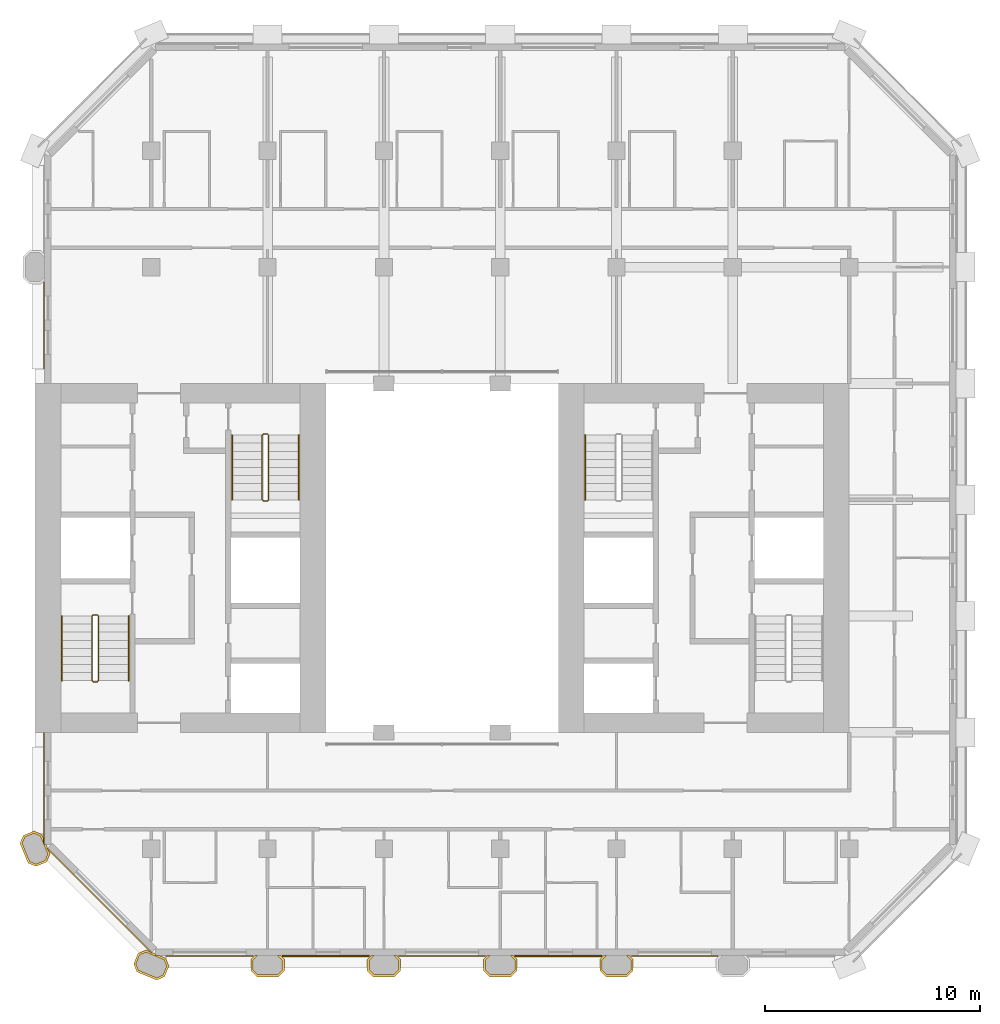
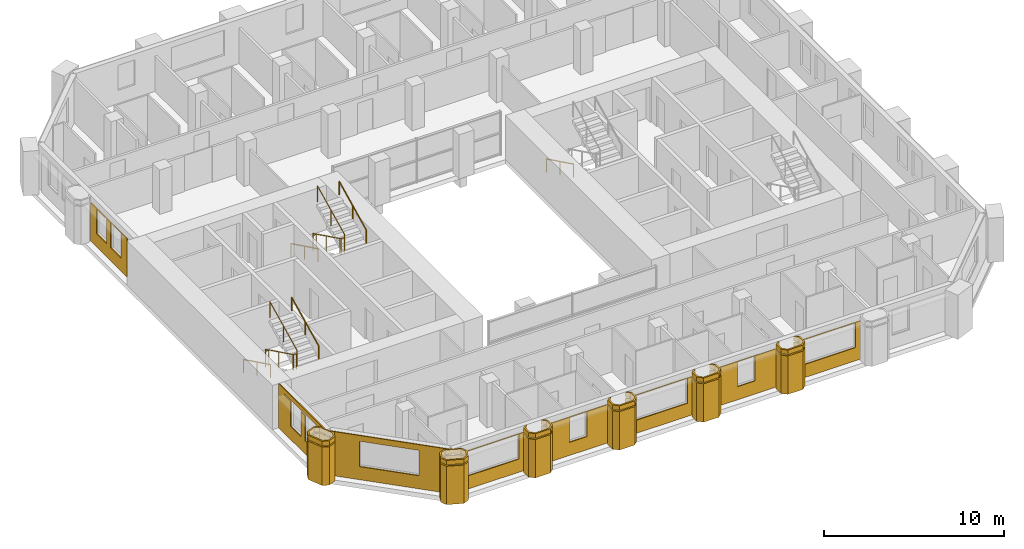
# One storey, part 10 of 12: 20 coverings, 7 railings.
"""IFC4 building model written with IfcOpenShell, lengths in metres."""

from ifc_helpers import new_model, si_unit, direction, frame, origin, origin_2d, place, context, subcontext, project, spatial, polyline, circle, outline, extrude, material, layer, layer_set, type_object, element, save


model = new_model("IFC4")

# Units and contexts
model_context = context("Model", 3, precision=1e-05, world=origin(), true_north=direction((0.0, 1.0)))
body_context = subcontext(model_context, "Body", "Model", "MODEL_VIEW")
ifc_project = project(units=[si_unit("LENGTHUNIT", "METRE"), si_unit("AREAUNIT", "SQUARE_METRE"), si_unit("VOLUMEUNIT", "CUBIC_METRE"), si_unit("PLANEANGLEUNIT", "RADIAN"), si_unit("MASSUNIT", "GRAM", prefix="KILO")], contexts=[model_context])

# Site, building, storey
site_placement = place(None, origin())
site = spatial("IfcSite", under=ifc_project, at=site_placement, CompositionType="ELEMENT")
building_placement = place(site_placement, origin())
building = spatial("IfcBuilding", under=site, at=building_placement, Name="Tabaq Tower and Sports Hall", CompositionType="ELEMENT")
storey_placement = place(building_placement, frame((0.0, 0.0, 187.300048828125)))
storey = spatial("IfcBuildingStorey", under=building, at=storey_placement, Name="L45", CompositionType="ELEMENT", Elevation=187.300048828125)

# Coverings
ifc_material_1 = material(Name="Precast concrete C60/75", Category="concrete")
ifc_layer_1 = layer(ifc_material_1, 0.10009765625)
ifc_layer_set_1 = layer_set([ifc_layer_1], Name="Column cladding 100")
covering_type_1 = type_object("IfcCoveringType", Name="Column cladding 100", PredefinedType="CLADDING", material=ifc_layer_set_1)
covering_1_placement = place(storey_placement, origin())
element("IfcCovering", 1, at=covering_1_placement, inside=storey, type_object=covering_type_1, Name="Column cladding L45 PC-2C-H2", PredefinedType="CLADDING", context=body_context, shape_type="SweptSolid", body=[
    extrude(outline(polyline([(5.450439453125, 9.982421875), (5.080078125, 10.1357421875), (4.7041015625, 11.04345703125), (4.857421875, 11.413818359375), (5.349609375, 11.61767578125), (5.7197265625, 11.46435546875), (5.789794921875, 11.295654296875), (5.789794921875, 11.04296875), (5.849609375, 11.04296875), (5.849609375, 10.986083984375), (5.91796875, 10.986083984375), (5.9814453125, 10.83251953125), (5.9501953125, 10.801025390625), (6.026123046875, 10.72509765625), (6.095947265625, 10.556396484375), (5.9423828125, 10.186279296875), (5.450439453125, 9.982421875)]), holes=[polyline([(5.349609375, 11.510009765625), (4.93359375, 11.337646484375), (4.811767578125, 11.04345703125), (5.15625, 10.2119140625), (5.450439453125, 10.08984375), (5.866455078125, 10.26220703125), (5.98828125, 10.556396484375), (5.643798828125, 11.38818359375), (5.349609375, 11.510009765625)])]), origin(), (0.0, 0.0, 1.0), 2.599853515625),
])
covering_2_placement = place(storey_placement, frame((0.0, 0.0, 2.699951171875)))
element("IfcCovering", 2, at=covering_2_placement, inside=storey, type_object=covering_type_1, Name="Column cladding L45 PC-2C-H2 2", PredefinedType="CLADDING", context=body_context, shape_type="SweptSolid", body=[
    extrude(outline(polyline([(5.450439453125, 9.982421875), (5.080078125, 10.1357421875), (4.7041015625, 11.04345703125), (4.857421875, 11.413818359375), (5.349609375, 11.61767578125), (5.7197265625, 11.46435546875), (5.789794921875, 11.295654296875), (5.789794921875, 11.04296875), (5.849609375, 11.04296875), (5.849609375, 10.986083984375), (5.91796875, 10.986083984375), (5.9814453125, 10.83251953125), (5.9501953125, 10.801025390625), (6.026123046875, 10.72509765625), (6.095947265625, 10.556396484375), (5.9423828125, 10.186279296875), (5.450439453125, 9.982421875)]), holes=[polyline([(5.349609375, 11.510009765625), (4.93359375, 11.337646484375), (4.811767578125, 11.04345703125), (5.15625, 10.2119140625), (5.450439453125, 10.08984375), (5.866455078125, 10.26220703125), (5.98828125, 10.556396484375), (5.643798828125, 11.38818359375), (5.349609375, 11.510009765625)])]), origin(), (0.0, 0.0, 1.0), 0.300048828125),
])
covering_3_placement = place(storey_placement, origin())
element("IfcCovering", 3, at=covering_3_placement, inside=storey, type_object=covering_type_1, Name="Column cladding L45 PC-3B-H2", PredefinedType="CLADDING", context=body_context, shape_type="SweptSolid", body=[
    extrude(outline(polyline([(11.413818359375, 4.857421875), (11.04345703125, 4.7041015625), (10.1357421875, 5.080078125), (9.982421875, 5.450439453125), (10.186279296875, 5.9423828125), (10.556396484375, 6.095947265625), (10.72509765625, 6.026123046875), (10.801025390625, 5.9501953125), (10.83251953125, 5.9814453125), (10.986083984375, 5.91796875), (10.986083984375, 5.849609375), (11.15087890625, 5.849609375), (11.46435546875, 5.7197265625), (11.61767578125, 5.349609375), (11.413818359375, 4.857421875)]), holes=[polyline([(10.26220703125, 5.866455078125), (10.08984375, 5.450439453125), (10.2119140625, 5.15625), (11.04345703125, 4.811767578125), (11.337646484375, 4.93359375), (11.510009765625, 5.349609375), (11.38818359375, 5.643798828125), (10.556396484375, 5.98828125), (10.26220703125, 5.866455078125)])]), origin(), (0.0, 0.0, 1.0), 2.599853515625),
])
covering_4_placement = place(storey_placement, frame((0.0, 0.0, 2.699951171875)))
element("IfcCovering", 4, at=covering_4_placement, inside=storey, type_object=covering_type_1, Name="Column cladding L45 PC-3B-H2 2", PredefinedType="CLADDING", context=body_context, shape_type="SweptSolid", body=[
    extrude(outline(polyline([(11.413818359375, 4.857421875), (11.04345703125, 4.7041015625), (10.1357421875, 5.080078125), (9.982421875, 5.450439453125), (10.186279296875, 5.9423828125), (10.556396484375, 6.095947265625), (10.72509765625, 6.026123046875), (10.801025390625, 5.9501953125), (10.83251953125, 5.9814453125), (10.986083984375, 5.91796875), (10.986083984375, 5.849609375), (11.15087890625, 5.849609375), (11.46435546875, 5.7197265625), (11.61767578125, 5.349609375), (11.413818359375, 4.857421875)]), holes=[polyline([(10.26220703125, 5.866455078125), (10.08984375, 5.450439453125), (10.2119140625, 5.15625), (11.04345703125, 4.811767578125), (11.337646484375, 4.93359375), (11.510009765625, 5.349609375), (11.38818359375, 5.643798828125), (10.556396484375, 5.98828125), (10.26220703125, 5.866455078125)])]), origin(), (0.0, 0.0, 1.0), 0.300048828125),
])
covering_5_placement = place(storey_placement, origin())
element("IfcCovering", 5, at=covering_5_placement, inside=storey, type_object=covering_type_1, Name="Column cladding L45 PC-4B-H2", PredefinedType="CLADDING", context=body_context, shape_type="SweptSolid", body=[
    extrude(outline(polyline([(15.42529296875, 5.666259765625), (15.608642578125, 5.849609375), (15.749267578125, 5.849609375), (15.524658203125, 5.625244140625), (15.524658203125, 5.1748046875), (15.749755859375, 4.94970703125), (16.650146484375, 4.94970703125), (16.875244140625, 5.1748046875), (16.875244140625, 5.625244140625), (16.650634765625, 5.849609375), (16.791259765625, 5.849609375), (16.974609375, 5.666259765625), (16.974609375, 5.1337890625), (16.69140625, 4.850341796875), (15.708740234375, 4.850341796875), (15.42529296875, 5.1337890625), (15.42529296875, 5.666259765625)])), origin(), (0.0, 0.0, 1.0), 2.599853515625),
])
covering_6_placement = place(storey_placement, frame((0.0, 0.0, 2.699951171875)))
element("IfcCovering", 6, at=covering_6_placement, inside=storey, type_object=covering_type_1, Name="Column cladding L45 PC-4B-H2 2", PredefinedType="CLADDING", context=body_context, shape_type="SweptSolid", body=[
    extrude(outline(polyline([(15.42529296875, 5.666259765625), (15.608642578125, 5.849609375), (15.749267578125, 5.849609375), (15.524658203125, 5.625244140625), (15.524658203125, 5.1748046875), (15.749755859375, 4.94970703125), (16.650146484375, 4.94970703125), (16.875244140625, 5.1748046875), (16.875244140625, 5.625244140625), (16.650634765625, 5.849609375), (16.791259765625, 5.849609375), (16.974609375, 5.666259765625), (16.974609375, 5.1337890625), (16.69140625, 4.850341796875), (15.708740234375, 4.850341796875), (15.42529296875, 5.1337890625), (15.42529296875, 5.666259765625)])), origin(), (0.0, 0.0, 1.0), 0.300048828125),
])
covering_7_placement = place(storey_placement, origin())
element("IfcCovering", 7, at=covering_7_placement, inside=storey, type_object=covering_type_1, Name="Column cladding L45 PC-5B-H2", PredefinedType="CLADDING", context=body_context, shape_type="SweptSolid", body=[
    extrude(outline(polyline([(20.8251953125, 5.666259765625), (21.0087890625, 5.849609375), (21.149169921875, 5.849609375), (20.9248046875, 5.625244140625), (20.9248046875, 5.1748046875), (21.14990234375, 4.94970703125), (22.050048828125, 4.94970703125), (22.275390625, 5.1748046875), (22.275390625, 5.625244140625), (22.05078125, 5.849609375), (22.19140625, 5.849609375), (22.374755859375, 5.666259765625), (22.374755859375, 5.1337890625), (22.09130859375, 4.850341796875), (21.108642578125, 4.850341796875), (20.8251953125, 5.1337890625), (20.8251953125, 5.666259765625)])), origin(), (0.0, 0.0, 1.0), 2.599853515625),
])
covering_8_placement = place(storey_placement, frame((0.0, 0.0, 2.699951171875)))
element("IfcCovering", 8, at=covering_8_placement, inside=storey, type_object=covering_type_1, Name="Column cladding L45 PC-5B-H2 2", PredefinedType="CLADDING", context=body_context, shape_type="SweptSolid", body=[
    extrude(outline(polyline([(20.8251953125, 5.666259765625), (21.0087890625, 5.849609375), (21.149169921875, 5.849609375), (20.9248046875, 5.625244140625), (20.9248046875, 5.1748046875), (21.14990234375, 4.94970703125), (22.050048828125, 4.94970703125), (22.275390625, 5.1748046875), (22.275390625, 5.625244140625), (22.05078125, 5.849609375), (22.19140625, 5.849609375), (22.374755859375, 5.666259765625), (22.374755859375, 5.1337890625), (22.09130859375, 4.850341796875), (21.108642578125, 4.850341796875), (20.8251953125, 5.1337890625), (20.8251953125, 5.666259765625)])), origin(), (0.0, 0.0, 1.0), 0.300048828125),
])
covering_9_placement = place(storey_placement, origin())
element("IfcCovering", 9, at=covering_9_placement, inside=storey, type_object=covering_type_1, Name="Column cladding L45 PC-6B-H2", PredefinedType="CLADDING", context=body_context, shape_type="SweptSolid", body=[
    extrude(outline(polyline([(26.225341796875, 5.666259765625), (26.40869140625, 5.849609375), (26.54931640625, 5.849609375), (26.32470703125, 5.625244140625), (26.32470703125, 5.1748046875), (26.5498046875, 4.94970703125), (27.4501953125, 4.94970703125), (27.67529296875, 5.1748046875), (27.67529296875, 5.625244140625), (27.45068359375, 5.849609375), (27.59130859375, 5.849609375), (27.774658203125, 5.666259765625), (27.774658203125, 5.1337890625), (27.4912109375, 4.850341796875), (26.5087890625, 4.850341796875), (26.225341796875, 5.1337890625), (26.225341796875, 5.666259765625)])), origin(), (0.0, 0.0, 1.0), 2.599853515625),
])
covering_10_placement = place(storey_placement, frame((0.0, 0.0, 2.699951171875)))
element("IfcCovering", 10, at=covering_10_placement, inside=storey, type_object=covering_type_1, Name="Column cladding L45 PC-6B-H2 2", PredefinedType="CLADDING", context=body_context, shape_type="SweptSolid", body=[
    extrude(outline(polyline([(26.225341796875, 5.666259765625), (26.40869140625, 5.849609375), (26.54931640625, 5.849609375), (26.32470703125, 5.625244140625), (26.32470703125, 5.1748046875), (26.5498046875, 4.94970703125), (27.4501953125, 4.94970703125), (27.67529296875, 5.1748046875), (27.67529296875, 5.625244140625), (27.45068359375, 5.849609375), (27.59130859375, 5.849609375), (27.774658203125, 5.666259765625), (27.774658203125, 5.1337890625), (27.4912109375, 4.850341796875), (26.5087890625, 4.850341796875), (26.225341796875, 5.1337890625), (26.225341796875, 5.666259765625)])), origin(), (0.0, 0.0, 1.0), 0.300048828125),
])
covering_11_placement = place(storey_placement, origin())
element("IfcCovering", 11, at=covering_11_placement, inside=storey, type_object=covering_type_1, Name="Column cladding L45 PC-7B-H2", PredefinedType="CLADDING", context=body_context, shape_type="SweptSolid", body=[
    extrude(outline(polyline([(31.625244140625, 5.666259765625), (31.80859375, 5.849609375), (31.94921875, 5.849609375), (31.724609375, 5.625244140625), (31.724609375, 5.1748046875), (31.949951171875, 4.94970703125), (32.85009765625, 4.94970703125), (33.0751953125, 5.1748046875), (33.0751953125, 5.625244140625), (32.850830078125, 5.849609375), (32.9912109375, 5.849609375), (33.1748046875, 5.666259765625), (33.1748046875, 5.1337890625), (32.891357421875, 4.850341796875), (31.90869140625, 4.850341796875), (31.625244140625, 5.1337890625), (31.625244140625, 5.666259765625)])), origin(), (0.0, 0.0, 1.0), 2.599853515625),
])
covering_12_placement = place(storey_placement, frame((0.0, 0.0, 2.699951171875)))
element("IfcCovering", 12, at=covering_12_placement, inside=storey, type_object=covering_type_1, Name="Column cladding L45 PC-7B-H2 2", PredefinedType="CLADDING", context=body_context, shape_type="SweptSolid", body=[
    extrude(outline(polyline([(31.625244140625, 5.666259765625), (31.80859375, 5.849609375), (31.94921875, 5.849609375), (31.724609375, 5.625244140625), (31.724609375, 5.1748046875), (31.949951171875, 4.94970703125), (32.85009765625, 4.94970703125), (33.0751953125, 5.1748046875), (33.0751953125, 5.625244140625), (32.850830078125, 5.849609375), (32.9912109375, 5.849609375), (33.1748046875, 5.666259765625), (33.1748046875, 5.1337890625), (32.891357421875, 4.850341796875), (31.90869140625, 4.850341796875), (31.625244140625, 5.1337890625), (31.625244140625, 5.666259765625)])), origin(), (0.0, 0.0, 1.0), 0.300048828125),
])

# Railings
ifc_material_2 = material(Name="Stainless steel", Category="steel")
railing_type_1 = type_object("IfcRailingType", Name="Stair guard", PredefinedType="GUARDRAIL", material=ifc_material_2)
railing_1_placement = place(storey_placement, frame((8.300048828125, 21.64990234375, 0.0)))
element("IfcRailing", 13, at=railing_1_placement, inside=storey, type_object=railing_type_1, Name="L45 ST1 stair guard 1", PredefinedType="GUARDRAIL", context=body_context, shape_type="SweptSolid", body=[
    extrude(circle(Radius=0.02392578125, at=origin_2d()), frame((0.0, 0.0, 1.076171875), z_axis=(-1.0, 0.0, 0.0), x_axis=(0.0, -1.0, 0.0)), (0.0, 0.0, 1.0), 0.199951171875),
    extrude(circle(Radius=0.02392578125, at=origin_2d()), frame((-0.199951171875, 0.0, 1.076171875), z_axis=(-0.254733673405, -0.25349107012, 0.933195066962), x_axis=(0.705375805398, -0.708833529934, 0.0)), (0.0, 0.0, 1.0), 0.196533203125),
    extrude(circle(Radius=0.02392578125, at=origin_2d()), frame((-0.25, -0.0498046875, 1.25927734375), z_axis=(0.0, -0.898397823093, 0.439182594671), x_axis=(1.0, 0.0, 0.0)), (0.0, 0.0, 1.0), 3.33935546875),
    extrude(circle(Radius=0.02392578125, at=origin_2d()), frame((-0.25, -3.0498046875, 2.72607421875), z_axis=(0.707106781187, -0.707106781187, 0.0), x_axis=(0.707106781187, 0.707106781187, 0.0)), (0.0, 0.0, 1.0), 0.07080078125),
    extrude(circle(Radius=0.02392578125, at=origin_2d()), frame((-0.199951171875, -3.099853515625, 2.72607421875), z_axis=(1.0, 0.0, 0.0), x_axis=(0.0, 1.0, 0.0)), (0.0, 0.0, 1.0), 0.199951171875),
    extrude(circle(Radius=0.02392578125, at=origin_2d()), frame((0.0, -3.099853515625, 2.72607421875), z_axis=(0.254653276557, 0.254653276557, 0.932900539971), x_axis=(-0.707106781187, 0.707106781187, 0.0)), (0.0, 0.0, 1.0), 0.196533203125),
    extrude(circle(Radius=0.02392578125, at=origin_2d()), frame((0.050048828125, -3.0498046875, 2.9091796875), z_axis=(0.0, 0.898368975038, 0.439241601728), x_axis=(-1.0, 0.0, 0.0)), (0.0, 0.0, 1.0), 3.33935546875),
    extrude(circle(Radius=0.02099609375, at=origin_2d()), origin(), (0.0, 0.0, 1.0), 1.052001953125),
    extrude(circle(Radius=0.02099609375, at=origin_2d()), frame((-0.199951171875, 0.0, 0.0)), (0.0, 0.0, 1.0), 1.052001953125),
    extrude(circle(Radius=0.02099609375, at=origin_2d()), frame((-0.25, -0.0498046875, 0.183349609375)), (0.0, 0.0, 1.0), 1.052001953125),
    extrude(circle(Radius=0.02099609375, at=origin_2d()), frame((-0.25, -1.5498046875, 0.91650390625)), (0.0, 0.0, 1.0), 1.052001953125),
    extrude(circle(Radius=0.02099609375, at=origin_2d()), frame((-0.25, -3.0498046875, 1.64990234375)), (0.0, 0.0, 1.0), 1.052001953125),
    extrude(circle(Radius=0.02099609375, at=origin_2d()), frame((-0.199951171875, -3.099853515625, 1.64990234375)), (0.0, 0.0, 1.0), 1.052001953125),
    extrude(circle(Radius=0.02099609375, at=origin_2d()), frame((0.0, -3.099853515625, 1.64990234375)), (0.0, 0.0, 1.0), 1.052001953125),
    extrude(circle(Radius=0.02099609375, at=origin_2d()), frame((0.050048828125, -3.0498046875, 1.833251953125)), (0.0, 0.0, 1.0), 1.052001953125),
    extrude(circle(Radius=0.02099609375, at=origin_2d()), frame((0.050048828125, -1.5498046875, 2.566650390625)), (0.0, 0.0, 1.0), 1.052001953125),
    extrude(circle(Radius=0.02099609375, at=origin_2d()), frame((0.050048828125, -0.0498046875, 3.300048828125)), (0.0, 0.0, 1.0), 1.052001953125),
])
railing_2_placement = place(storey_placement, frame((16.199951171875, 30.050048828125, 0.0)))
element("IfcRailing", 14, at=railing_2_placement, inside=storey, type_object=railing_type_1, Name="L45 ST2 stair guard 1", PredefinedType="GUARDRAIL", context=body_context, shape_type="SweptSolid", body=[
    extrude(circle(Radius=0.02392578125, at=origin_2d()), frame((0.0, 0.0, 1.076171875), z_axis=(-1.0, 0.0, 0.0), x_axis=(0.0, -1.0, 0.0)), (0.0, 0.0, 1.0), 0.199951171875),
    extrude(circle(Radius=0.02392578125, at=origin_2d()), frame((-0.199951171875, 0.0, 1.076171875), z_axis=(-0.254653276557, -0.254653276557, 0.932900539971), x_axis=(0.707106781187, -0.707106781187, 0.0)), (0.0, 0.0, 1.0), 0.196533203125),
    extrude(circle(Radius=0.02392578125, at=origin_2d()), frame((-0.25, -0.050048828125, 1.25927734375), z_axis=(0.0, -0.898397823093, 0.439182594671), x_axis=(1.0, 0.0, 0.0)), (0.0, 0.0, 1.0), 3.33935546875),
    extrude(circle(Radius=0.02392578125, at=origin_2d()), frame((-0.25, -3.050048828125, 2.72607421875), z_axis=(0.707106781187, -0.707106781187, 0.0), x_axis=(0.707106781187, 0.707106781187, 0.0)), (0.0, 0.0, 1.0), 0.07080078125),
    extrude(circle(Radius=0.02392578125, at=origin_2d()), frame((-0.199951171875, -3.10009765625, 2.72607421875), z_axis=(1.0, 0.0, 0.0), x_axis=(0.0, 1.0, 0.0)), (0.0, 0.0, 1.0), 0.199951171875),
    extrude(circle(Radius=0.02392578125, at=origin_2d()), frame((0.0, -3.10009765625, 2.72607421875), z_axis=(0.254653276557, 0.254653276557, 0.932900539971), x_axis=(-0.707106781187, 0.707106781187, 0.0)), (0.0, 0.0, 1.0), 0.196533203125),
    extrude(circle(Radius=0.02392578125, at=origin_2d()), frame((0.050048828125, -3.050048828125, 2.9091796875), z_axis=(0.0, 0.898368975038, 0.439241601728), x_axis=(-1.0, 0.0, 0.0)), (0.0, 0.0, 1.0), 3.33935546875),
    extrude(circle(Radius=0.02099609375, at=origin_2d()), origin(), (0.0, 0.0, 1.0), 1.052001953125),
    extrude(circle(Radius=0.02099609375, at=origin_2d()), frame((-0.199951171875, 0.0, 0.0)), (0.0, 0.0, 1.0), 1.052001953125),
    extrude(circle(Radius=0.02099609375, at=origin_2d()), frame((-0.25, -0.050048828125, 0.183349609375)), (0.0, 0.0, 1.0), 1.052001953125),
    extrude(circle(Radius=0.02099609375, at=origin_2d()), frame((-0.25, -1.550048828125, 0.91650390625)), (0.0, 0.0, 1.0), 1.052001953125),
    extrude(circle(Radius=0.02099609375, at=origin_2d()), frame((-0.25, -3.050048828125, 1.64990234375)), (0.0, 0.0, 1.0), 1.052001953125),
    extrude(circle(Radius=0.02099609375, at=origin_2d()), frame((-0.199951171875, -3.10009765625, 1.64990234375)), (0.0, 0.0, 1.0), 1.052001953125),
    extrude(circle(Radius=0.02099609375, at=origin_2d()), frame((0.0, -3.10009765625, 1.64990234375)), (0.0, 0.0, 1.0), 1.052001953125),
    extrude(circle(Radius=0.02099609375, at=origin_2d()), frame((0.050048828125, -3.050048828125, 1.833251953125)), (0.0, 0.0, 1.0), 1.052001953125),
    extrude(circle(Radius=0.02099609375, at=origin_2d()), frame((0.050048828125, -1.550048828125, 2.566650390625)), (0.0, 0.0, 1.0), 1.052001953125),
    extrude(circle(Radius=0.02099609375, at=origin_2d()), frame((0.050048828125, -0.050048828125, 3.300048828125)), (0.0, 0.0, 1.0), 1.052001953125),
])
ifc_material_3 = material(Name="Stainless steel", Category="steel")
railing_type_2 = type_object("IfcRailingType", Name="Stair handrail", PredefinedType="HANDRAIL", material=ifc_material_3)
railing_3_placement = place(storey_placement, frame((6.64990234375, 21.60009765625, 0.183349609375)))
element("IfcRailing", 15, at=railing_3_placement, inside=storey, type_object=railing_type_2, Name="L45 ST1 stair handrail 1", PredefinedType="HANDRAIL", context=body_context, shape_type="SweptSolid", body=[
    extrude(circle(Radius=0.02392578125, at=origin_2d()), frame((0.0, 0.0, 0.8759765625), z_axis=(0.0, -0.898397823093, 0.439182594671), x_axis=(1.0, 0.0, 0.0)), (0.0, 0.0, 1.0), 3.33935546875),
    extrude(circle(Radius=0.02099609375, at=origin_2d()), origin(), (0.0, 0.0, 1.0), 0.851806640625),
    extrude(circle(Radius=0.02099609375, at=origin_2d()), frame((0.0, -1.5, 0.7333984375)), (0.0, 0.0, 1.0), 0.851806640625),
    extrude(circle(Radius=0.02099609375, at=origin_2d()), frame((0.0, -3.0, 1.466552734375)), (0.0, 0.0, 1.0), 0.851806640625),
])
railing_4_placement = place(storey_placement, frame((9.75, 18.60009765625, 1.833251953125)))
element("IfcRailing", 16, at=railing_4_placement, inside=storey, type_object=railing_type_2, Name="L45 ST1 stair handrail 2", PredefinedType="HANDRAIL", context=body_context, shape_type="SweptSolid", body=[
    extrude(circle(Radius=0.02392578125, at=origin_2d()), frame((0.0, 0.0, 0.8759765625), z_axis=(0.0, 0.898368975038, 0.439241601728), x_axis=(-1.0, 0.0, 0.0)), (0.0, 0.0, 1.0), 3.33935546875),
    extrude(circle(Radius=0.02099609375, at=origin_2d()), origin(), (0.0, 0.0, 1.0), 0.851806640625),
    extrude(circle(Radius=0.02099609375, at=origin_2d()), frame((0.0, 1.5, 0.7333984375)), (0.0, 0.0, 1.0), 0.851806640625),
    extrude(circle(Radius=0.02099609375, at=origin_2d()), frame((0.0, 3.0, 1.466796875)), (0.0, 0.0, 1.0), 0.851806640625),
])
railing_5_placement = place(storey_placement, frame((14.550048828125, 30.0, 0.183349609375)))
element("IfcRailing", 17, at=railing_5_placement, inside=storey, type_object=railing_type_2, Name="L45 ST2 stair handrail 1", PredefinedType="HANDRAIL", context=body_context, shape_type="SweptSolid", body=[
    extrude(circle(Radius=0.02392578125, at=origin_2d()), frame((0.0, 0.0, 0.8759765625), z_axis=(0.0, -0.898397823093, 0.439182594671), x_axis=(1.0, 0.0, 0.0)), (0.0, 0.0, 1.0), 3.33935546875),
    extrude(circle(Radius=0.02099609375, at=origin_2d()), origin(), (0.0, 0.0, 1.0), 0.851806640625),
    extrude(circle(Radius=0.02099609375, at=origin_2d()), frame((0.0, -1.5, 0.7333984375)), (0.0, 0.0, 1.0), 0.851806640625),
    extrude(circle(Radius=0.02099609375, at=origin_2d()), frame((0.0, -3.0, 1.466552734375)), (0.0, 0.0, 1.0), 0.851806640625),
])
railing_6_placement = place(storey_placement, frame((17.64990234375, 27.0, 1.833251953125)))
element("IfcRailing", 18, at=railing_6_placement, inside=storey, type_object=railing_type_2, Name="L45 ST2 stair handrail 2", PredefinedType="HANDRAIL", context=body_context, shape_type="SweptSolid", body=[
    extrude(circle(Radius=0.02392578125, at=origin_2d()), frame((0.0, 0.0, 0.8759765625), z_axis=(0.0, 0.898368975038, 0.439241601728), x_axis=(-1.0, 0.0, 0.0)), (0.0, 0.0, 1.0), 3.33935546875),
    extrude(circle(Radius=0.02099609375, at=origin_2d()), origin(), (0.0, 0.0, 1.0), 0.851806640625),
    extrude(circle(Radius=0.02099609375, at=origin_2d()), frame((0.0, 1.5, 0.7333984375)), (0.0, 0.0, 1.0), 0.851806640625),
    extrude(circle(Radius=0.02099609375, at=origin_2d()), frame((0.0, 3.0, 1.466796875)), (0.0, 0.0, 1.0), 0.851806640625),
])
railing_7_placement = place(storey_placement, frame((30.949951171875, 30.0, 0.183349609375)))
element("IfcRailing", 19, at=railing_7_placement, inside=storey, type_object=railing_type_2, Name="L45 ST4 stair handrail 1", PredefinedType="HANDRAIL", context=body_context, shape_type="SweptSolid", body=[
    extrude(circle(Radius=0.02392578125, at=origin_2d()), frame((0.0, 0.0, 0.8759765625), z_axis=(0.0, -0.898397823093, 0.439182594671), x_axis=(1.0, 0.0, 0.0)), (0.0, 0.0, 1.0), 3.33935546875),
    extrude(circle(Radius=0.02099609375, at=origin_2d()), origin(), (0.0, 0.0, 1.0), 0.851806640625),
    extrude(circle(Radius=0.02099609375, at=origin_2d()), frame((0.0, -1.5, 0.7333984375)), (0.0, 0.0, 1.0), 0.851806640625),
    extrude(circle(Radius=0.02099609375, at=origin_2d()), frame((0.0, -3.0, 1.466552734375)), (0.0, 0.0, 1.0), 0.851806640625),
])

# Coverings
ifc_material_4 = material(Name="Precast concrete C60/75", Category="concrete")
ifc_layer_2 = layer(ifc_material_4, 0.06005859375)
ifc_layer_set_2 = layer_set([ifc_layer_2], Name="White precast cladding panel 60 C60/75")
covering_type_2 = type_object("IfcCoveringType", Name="White precast cladding panel 60 C60/75", PredefinedType="CLADDING", material=ifc_layer_set_2)
covering_13_placement = place(storey_placement, frame((11.465087890625, 5.820068359375, 0.0), z_axis=(0.0, 0.0, 1.0), x_axis=(1.0, 0.0, 0.0)))
element("IfcCovering", 20, at=covering_13_placement, inside=storey, type_object=covering_type_2, Name="White precast cladding panel L45 wall00", PredefinedType="CLADDING", context=body_context, shape_type="SweptSolid", body=[
    extrude(outline(polyline([(0.0, 0.0), (4.0498046875, 0.0), (4.0498046875, 2.58984375), (0.0, 2.58984375), (0.0, 0.0)]), holes=[polyline([(3.7451171875, 0.889892578125), (0.324951171875, 0.889892578125), (0.324951171875, 2.56005859375), (3.7451171875, 2.56005859375), (3.7451171875, 0.889892578125)])]), frame((0.0, 0.030029296875, 0.0), z_axis=(0.0, -1.0, 0.0), x_axis=(1.0, 0.0, 0.0)), (0.0, 0.0, 1.0), 0.06005859375),
])
covering_14_placement = place(storey_placement, frame((16.885009765625, 5.820068359375, 0.0), z_axis=(0.0, 0.0, 1.0), x_axis=(1.0, 0.0, 0.0)))
element("IfcCovering", 21, at=covering_14_placement, inside=storey, type_object=covering_type_2, Name="White precast cladding panel L45 wall00 2", PredefinedType="CLADDING", context=body_context, shape_type="SweptSolid", body=[
    extrude(outline(polyline([(0.0, 0.0), (4.030029296875, 0.0), (4.030029296875, 2.58984375), (0.0, 2.58984375), (0.0, 0.0)]), holes=[polyline([(2.675048828125, 0.889892578125), (1.554931640625, 0.889892578125), (1.554931640625, 2.56005859375), (2.675048828125, 2.56005859375), (2.675048828125, 0.889892578125)])]), frame((0.0, 0.030029296875, 0.0), z_axis=(0.0, -1.0, 0.0), x_axis=(1.0, 0.0, 0.0)), (0.0, 0.0, 1.0), 0.06005859375),
])
covering_15_placement = place(storey_placement, frame((22.284912109375, 5.820068359375, 0.0), z_axis=(0.0, 0.0, 1.0), x_axis=(1.0, 0.0, 0.0)))
element("IfcCovering", 22, at=covering_15_placement, inside=storey, type_object=covering_type_2, Name="White precast cladding panel L45 wall00 3", PredefinedType="CLADDING", context=body_context, shape_type="SweptSolid", body=[
    extrude(outline(polyline([(0.0, 0.0), (4.030029296875, 0.0), (4.030029296875, 2.58984375), (0.0, 2.58984375), (0.0, 0.0)]), holes=[polyline([(3.72509765625, 0.889892578125), (0.304931640625, 0.889892578125), (0.304931640625, 2.56005859375), (3.72509765625, 2.56005859375), (3.72509765625, 0.889892578125)])]), frame((0.0, 0.030029296875, 0.0), z_axis=(0.0, -1.0, 0.0), x_axis=(1.0, 0.0, 0.0)), (0.0, 0.0, 1.0), 0.06005859375),
])
covering_16_placement = place(storey_placement, frame((27.68505859375, 5.820068359375, 0.0), z_axis=(0.0, 0.0, 1.0), x_axis=(1.0, 0.0, 0.0)))
element("IfcCovering", 23, at=covering_16_placement, inside=storey, type_object=covering_type_2, Name="White precast cladding panel L45 wall00 4", PredefinedType="CLADDING", context=body_context, shape_type="SweptSolid", body=[
    extrude(outline(polyline([(0.0, 0.0), (4.030029296875, 0.0), (4.030029296875, 2.58984375), (0.0, 2.58984375), (0.0, 0.0)]), holes=[polyline([(2.675048828125, 0.889892578125), (1.554931640625, 0.889892578125), (1.554931640625, 2.56005859375), (2.675048828125, 2.56005859375), (2.675048828125, 0.889892578125)])]), frame((0.0, 0.030029296875, 0.0), z_axis=(0.0, -1.0, 0.0), x_axis=(1.0, 0.0, 0.0)), (0.0, 0.0, 1.0), 0.06005859375),
])
covering_17_placement = place(storey_placement, frame((33.0849609375, 5.820068359375, 0.0), z_axis=(0.0, 0.0, 1.0), x_axis=(1.0, 0.0, 0.0)))
element("IfcCovering", 24, at=covering_17_placement, inside=storey, type_object=covering_type_2, Name="White precast cladding panel L45 wall00 5", PredefinedType="CLADDING", context=body_context, shape_type="SweptSolid", body=[
    extrude(outline(polyline([(0.0, 0.0), (4.030029296875, 0.0), (4.030029296875, 2.58984375), (0.0, 2.58984375), (0.0, 0.0)]), holes=[polyline([(3.72509765625, 0.889892578125), (0.304931640625, 0.889892578125), (0.304931640625, 2.56005859375), (3.72509765625, 2.56005859375), (3.72509765625, 0.889892578125)])]), frame((0.0, 0.030029296875, 0.0), z_axis=(0.0, -1.0, 0.0), x_axis=(1.0, 0.0, 0.0)), (0.0, 0.0, 1.0), 0.06005859375),
])
covering_18_placement = place(storey_placement, frame((5.820068359375, 37.114990234375, 0.0), z_axis=(0.0, 0.0, 1.0), x_axis=(0.0, -1.0, 0.0)))
element("IfcCovering", 25, at=covering_18_placement, inside=storey, type_object=covering_type_2, Name="White precast cladding panel L45 wall06 2", PredefinedType="CLADDING", context=body_context, shape_type="SweptSolid", body=[
    extrude(outline(polyline([(0.0, 0.0), (4.050048828125, 0.0), (4.050048828125, 2.58984375), (0.0, 2.58984375), (0.0, 0.0)]), holes=[polyline([(0.655029296875, 0.889892578125), (0.655029296875, 2.56005859375), (1.77490234375, 2.56005859375), (1.77490234375, 0.889892578125), (0.655029296875, 0.889892578125)]), polyline([(2.2548828125, 0.889892578125), (2.2548828125, 2.56005859375), (3.375, 2.56005859375), (3.375, 0.889892578125), (2.2548828125, 0.889892578125)])]), frame((0.0, 0.030029296875, 0.0), z_axis=(0.0, -1.0, 0.0), x_axis=(1.0, 0.0, 0.0)), (0.0, 0.0, 1.0), 0.06005859375),
])
covering_19_placement = place(storey_placement, frame((5.820068359375, 16.199951171875, 0.0), z_axis=(0.0, 0.0, 1.0), x_axis=(0.0, -1.0, 0.0)))
element("IfcCovering", 26, at=covering_19_placement, inside=storey, type_object=covering_type_2, Name="White precast cladding panel L45 wall06-1", PredefinedType="CLADDING", context=body_context, shape_type="SweptSolid", body=[
    extrude(outline(polyline([(0.0, 0.0), (5.15673828125, 0.0), (5.15673828125, 3.0), (0.0, 3.0), (0.0, 0.0)]), holes=[polyline([(1.340087890625, 2.58984375), (0.6650390625, 2.58984375), (0.6650390625, 2.7099609375), (4.735107421875, 2.7099609375), (4.735107421875, 2.58984375), (4.06005859375, 2.58984375), (4.06005859375, 0.889892578125), (2.93994140625, 0.889892578125), (2.93994140625, 2.58984375), (2.4599609375, 2.58984375), (2.4599609375, 0.889892578125), (1.340087890625, 0.889892578125), (1.340087890625, 2.58984375)])]), frame((0.0, 0.030029296875, 0.0), z_axis=(0.0, -1.0, 0.0), x_axis=(1.0, 0.0, 0.0)), (0.0, 0.0, 1.0), 0.06005859375),
])
covering_20_placement = place(storey_placement, frame((5.9716796875, 10.822265625, 0.0), z_axis=(0.0, 0.0, 1.0), x_axis=(0.707106781187, -0.707106781187, 0.0)))
element("IfcCovering", 27, at=covering_20_placement, inside=storey, type_object=covering_type_2, Name="White precast cladding panel L45 wall07", PredefinedType="CLADDING", context=body_context, shape_type="SweptSolid", body=[
    extrude(outline(polyline([(0.0, 0.0), (6.85986328125, 0.0), (6.85986328125, 3.0), (0.0, 3.0), (0.0, 0.0)]), holes=[polyline([(1.7197265625, 0.889892578125), (1.7197265625, 2.60986328125), (5.139892578125, 2.60986328125), (5.139892578125, 0.889892578125), (1.7197265625, 0.889892578125)])]), frame((0.0, 0.030029296875, 0.0), z_axis=(0.0, -1.0, 0.0), x_axis=(1.0, 0.0, 0.0)), (0.0, 0.0, 1.0), 0.06005859375),
])

save(model, "model.ifc")
